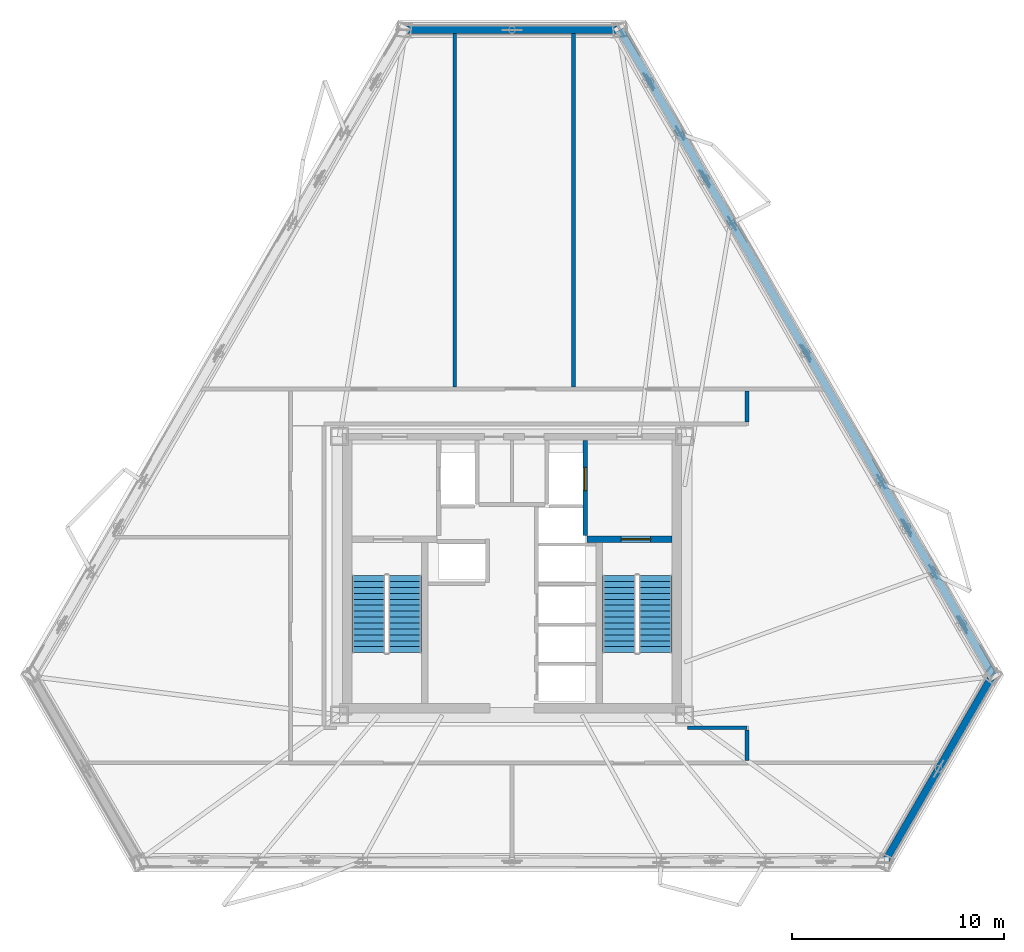
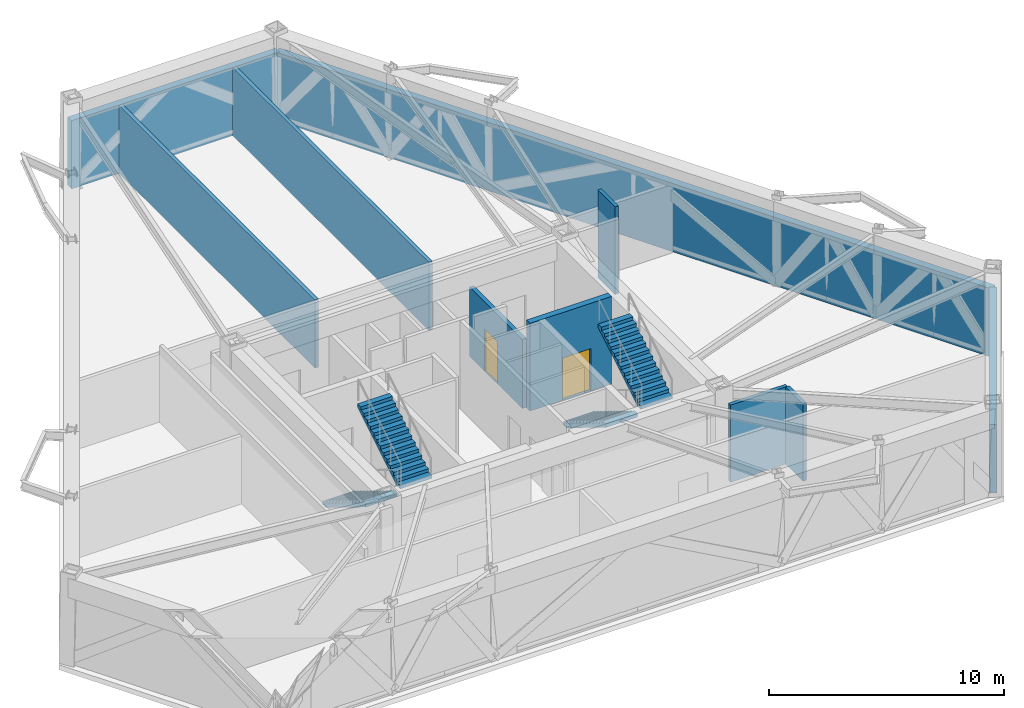
# One storey, part 8 of 11: 10 walls, 4 stair flights, 2 doors, 2 openings, 2 elements without a shape of their own.
"""IFC4 building model written with IfcOpenShell, lengths in metres."""

from ifc_helpers import new_model, si_unit, direction, frame, frame_2d, origin, place, context, subcontext, project, spatial, polyline, rectangle, outline, extrude, material, layer, layer_set, type_object, element, fill, aggregate, save


model = new_model("IFC4")

# Units and contexts
model_context = context("Model", 3, precision=1e-05, world=origin(), true_north=direction((0.0, 1.0)))
body_context = subcontext(model_context, "Body", "Model", "MODEL_VIEW")
ifc_project = project(units=[si_unit("LENGTHUNIT", "METRE"), si_unit("AREAUNIT", "SQUARE_METRE"), si_unit("VOLUMEUNIT", "CUBIC_METRE"), si_unit("PLANEANGLEUNIT", "RADIAN"), si_unit("MASSUNIT", "GRAM", prefix="KILO")], contexts=[model_context])

# Site, building, storey
site_placement = place(None, origin())
site = spatial("IfcSite", under=ifc_project, at=site_placement, CompositionType="ELEMENT")
building_placement = place(site_placement, origin())
building = spatial("IfcBuilding", under=site, at=building_placement, Name="Oramaril Tower", CompositionType="ELEMENT")
storey_placement = place(building_placement, frame((0.0, 0.0, 133.800048828125)))
storey = spatial("IfcBuildingStorey", under=building, at=storey_placement, Name="L35", CompositionType="ELEMENT", Elevation=133.800048828125)

# Walls
ifc_material_1 = material(Name="Warm Cream Limestone", Category="masonry")
ifc_layer_1 = layer(ifc_material_1, 0.340087890625)
ifc_layer_set_1 = layer_set([ifc_layer_1], Name="WT-EXT34")
wall_type_1 = type_object("IfcWallType", Name="WT-EXT34", PredefinedType="SOLIDWALL", material=ifc_layer_set_1)
wall_1_placement = place(storey_placement, frame((55.0966796875, 4.040771484375, 0.0), z_axis=(0.0, 0.0, 1.0), x_axis=(0.500003717096, 0.866023257707, 0.0)))
element("IfcWall", 1, at=wall_1_placement, inside=storey, type_object=wall_type_1, Name="L35 Tower Limestone Facade Wall 3M", PredefinedType="SOLIDWALL", context=body_context, shape_type="SweptSolid", body=[
    extrude(rectangle(XDim=10.21875, YDim=0.340087890625, at=frame_2d((5.109375, 0.0))), origin(), (0.0, 0.0, 1.0), 3.550048828125),
])
wall_2_placement = place(storey_placement, frame((60.2060546875, 12.890380859375, 0.0), z_axis=(0.0, 0.0, 1.0), x_axis=(-0.4999978793, 0.866026628168, 0.0)))
element("IfcWall", 2, at=wall_2_placement, inside=storey, type_object=wall_type_1, Name="L35 Tower Limestone Facade Wall 4M", PredefinedType="SOLIDWALL", context=body_context, shape_type="SweptSolid", body=[
    extrude(rectangle(XDim=35.193603515625, YDim=0.340087890625, at=frame_2d((17.5966796875, 0.0))), origin(), (0.0, 0.0, 1.0), 3.550048828125),
])
wall_3_placement = place(storey_placement, frame((42.609375, 43.368896484375, 0.0), z_axis=(0.0, 0.0, 1.0), x_axis=(-1.0, 0.0, 0.0)))
element("IfcWall", 3, at=wall_3_placement, inside=storey, type_object=wall_type_1, Name="L35 Tower Limestone Facade Wall 5M", PredefinedType="SOLIDWALL", context=body_context, shape_type="SweptSolid", body=[
    extrude(rectangle(XDim=10.21875, YDim=0.340087890625, at=frame_2d((5.109375, 0.0))), origin(), (0.0, 0.0, 1.0), 3.550048828125),
])
ifc_material_2 = material(Name="Autoclaved Cellular Concrete Block", Category="concrete")
ifc_layer_2 = layer(ifc_material_2, 0.179931640625)
ifc_layer_set_2 = layer_set([ifc_layer_2], Name="WT-PT18")
wall_type_2 = type_object("IfcWallType", Name="WT-PT18", PredefinedType="PARTITIONING", material=ifc_layer_set_2)
wall_4_placement = place(storey_placement, frame((45.800048828125, 10.39990234375, 0.0), z_axis=(0.0, 0.0, 1.0), x_axis=(1.0, 0.0, 0.0)))
element("IfcWall", 4, at=wall_4_placement, inside=storey, type_object=wall_type_2, Name="L35 Interior Partition PT-18", PredefinedType="PARTITIONING", context=body_context, shape_type="SweptSolid", body=[
    extrude(rectangle(XDim=2.800048828125, YDim=0.179931640625, at=frame_2d((1.39990234375, 0.0))), origin(), (0.0, 0.0, 1.0), 4.013916015625),
])
for number, where, z_axis, x_axis, name in (
    (5, (34.800048828125, 26.493896484375, 0.0), (0.0, 0.0, 1.0), (0.0, 1.0, 0.0), "L35 Interior Partition PT-18"),
    (6, (40.39990234375, 26.493896484375, 0.0), (0.0, 0.0, 1.0), (0.0, 1.0, 0.0), "L35 Interior Partition PT-18"),
):
    element("IfcWall", number, at=place(storey_placement, frame(where, z_axis=z_axis, x_axis=x_axis)), inside=storey, type_object=wall_type_2, Name=name, PredefinedType="PARTITIONING", context=body_context, shape_type="SweptSolid", body=[
        extrude(rectangle(XDim=16.700927734375, YDim=0.179931640625, at=frame_2d((8.3505859375, 0.0))), origin(), (0.0, 0.0, 1.0), 3.550048828125),
    ])
wall_5_placement = place(storey_placement, frame((48.60009765625, 8.843994140625, 0.0), z_axis=(0.0, 0.0, 1.0), x_axis=(0.0, 1.0, 0.0)))
element("IfcWall", 7, at=wall_5_placement, inside=storey, type_object=wall_type_2, Name="L35 Interior Partition PT-18", PredefinedType="PARTITIONING", context=body_context, shape_type="SweptSolid", body=[
    extrude(rectangle(XDim=1.4619140625, YDim=0.179931640625, at=frame_2d((0.73095703125, 0.0))), origin(), (0.0, 0.0, 1.0), 4.013916015625),
])
wall_6_placement = place(storey_placement, frame((48.60009765625, 24.843994140625, 0.0), z_axis=(0.0, 0.0, 1.0), x_axis=(0.0, 1.0, 0.0)))
element("IfcWall", 8, at=wall_6_placement, inside=storey, type_object=wall_type_2, Name="L35 Interior Partition PT-18", PredefinedType="PARTITIONING", context=body_context, shape_type="SweptSolid", body=[
    extrude(rectangle(XDim=1.4619140625, YDim=0.179931640625, at=frame_2d((0.73095703125, 0.0))), origin(), (0.0, 0.0, 1.0), 4.56005859375),
])

# Wall, opening, door
ifc_material_3 = material(Name="Concrete C50/60", Category="concrete")
ifc_layer_3 = layer(ifc_material_3, 0.300048828125)
ifc_layer_set_3 = layer_set([ifc_layer_3], Name="WT-SH30")
wall_type_3 = type_object("IfcWallType", Name="WT-SH30", PredefinedType="SHEAR", material=ifc_layer_set_3)
wall_7_placement = place(storey_placement, frame((41.050048828125, 19.31005859375, 0.0), z_axis=(0.0, 0.0, 1.0), x_axis=(1.0, 0.0, 0.0)))
wall_7 = element("IfcWall", 9, at=wall_7_placement, inside=storey, type_object=wall_type_3, Name="L35 Core Shear Wall CW-ST2N", PredefinedType="SHEAR", context=body_context, shape_type="SweptSolid", body=[
    extrude(rectangle(XDim=4.010009765625, YDim=0.300048828125, at=frame_2d((2.0048828125, 0.0))), origin(), (0.0, 0.0, 1.0), 4.56005859375),
])
opening_1_placement = place(wall_7_placement, frame((1.60009765625, 0.0, 0.0)))
opening_1 = element("IfcOpeningElement", 10, at=opening_1_placement, cuts=wall_7, Name="Opening D-L35-ST2", PredefinedType="OPENING", context=body_context, shape_type="SweptSolid", body=[
    extrude(rectangle(XDim=1.39990234375, YDim=2.199951171875, at=frame_2d((0.699951171875, 1.10009765625))), frame((0.0, 0.14990234375, 0.0), z_axis=(0.0, -1.0, 0.0), x_axis=(1.0, 0.0, 0.0)), (0.0, 0.0, 1.0), 0.300048828125),
])
ifc_material_4 = material(Name="Painted Galvanised Steel", Category="steel")
door_type_1 = type_object("IfcDoorType", Name="DT-ST", OperationType="NOTDEFINED", PredefinedType="DOOR", material=ifc_material_4)
door_1_placement = place(opening_1_placement, origin())
door_1 = element("IfcDoor", 11, at=door_1_placement, inside=storey, type_object=door_type_1, Name="L35 Protected Stair ST-2 Fire Door", OperationType="SINGLE_SWING_RIGHT", OverallHeight=2.199951171875, OverallWidth=1.39990234375, PredefinedType="DOOR", context=body_context, shape_type="SweptSolid", body=[
    extrude(rectangle(XDim=1.39990234375, YDim=2.199951171875, at=frame_2d((0.699951171875, 1.10009765625))), frame((0.0, 0.02490234375, 0.0), z_axis=(0.0, -1.0, 0.0), x_axis=(1.0, 0.0, 0.0)), (0.0, 0.0, 1.0), 0.050048828125),
])
fill(opening_1, door_1)

ifc_material_5 = material(Name="Autoclaved Cellular Concrete Block", Category="concrete")
ifc_layer_4 = layer(ifc_material_5, 0.199951171875)
ifc_layer_set_4 = layer_set([ifc_layer_4], Name="WT-SHF20")
wall_type_4 = type_object("IfcWallType", Name="WT-SHF20", PredefinedType="PARTITIONING", material=ifc_layer_set_4)
wall_8_placement = place(storey_placement, frame((40.9599609375, 19.47998046875, 0.0), z_axis=(0.0, 0.0, 1.0), x_axis=(0.0, 1.0, 0.0)))
wall_8 = element("IfcWall", 12, at=wall_8_placement, inside=storey, type_object=wall_type_4, Name="L35 FL-2 Lobby Shaft Wall", PredefinedType="PARTITIONING", context=body_context, shape_type="SweptSolid", body=[
    extrude(rectangle(XDim=4.5, YDim=0.199951171875, at=frame_2d((2.25, 0.0))), origin(), (0.0, 0.0, 1.0), 3.599853515625),
])
opening_2_placement = place(wall_8_placement, frame((2.1201171875, 0.0, 0.0)))
opening_2 = element("IfcOpeningElement", 13, at=opening_2_placement, cuts=wall_8, Name="Opening LD-L35-FL-2", PredefinedType="OPENING", context=body_context, shape_type="SweptSolid", body=[
    extrude(rectangle(XDim=1.10009765625, YDim=2.199951171875, at=frame_2d((0.550048828125, 1.10009765625))), frame((0.0, 0.10009765625, 0.0), z_axis=(0.0, -1.0, 0.0), x_axis=(1.0, 0.0, 0.0)), (0.0, 0.0, 1.0), 0.199951171875),
])
ifc_material_6 = material(Name="Stainless Steel 316L", Category="steel")
door_type_2 = type_object("IfcDoorType", Name="DT-LD1", OperationType="NOTDEFINED", PredefinedType="DOOR", material=ifc_material_6)
door_2_placement = place(opening_2_placement, origin())
door_2 = element("IfcDoor", 14, at=door_2_placement, inside=storey, type_object=door_type_2, Name="L35 Lift FL-2 Sliding Landing Door", OperationType="SLIDING_TO_RIGHT", OverallHeight=2.199951171875, OverallWidth=1.10009765625, PredefinedType="DOOR", context=body_context, shape_type="SweptSolid", body=[
    extrude(rectangle(XDim=1.10009765625, YDim=2.199951171875, at=frame_2d((0.550048828125, 1.10009765625))), frame((0.0, 0.02490234375, 0.0), z_axis=(0.0, -1.0, 0.0), x_axis=(1.0, 0.0, 0.0)), (0.0, 0.0, 1.0), 0.050048828125),
])
fill(opening_2, door_2)

# Stair, stair flights
ifc_material_7 = material(Name="Concrete C50/60", Category="concrete")
stair_type = type_object("IfcStairType", Name="STT-DG-4800", PredefinedType="HALF_TURN_STAIR", material=ifc_material_7)
stair_1_placement = place(storey_placement, origin())
stair_1 = element("IfcStair", 15, at=stair_1_placement, inside=storey, type_object=stair_type, Name="L35 Protected PFP Exit Stair ST-1", PredefinedType="HALF_TURN_STAIR")
ifc_material_8 = material(Name="Concrete C50/60", Category="concrete")
stair_flight_type = type_object("IfcStairFlightType", Name="SFT-DG-4800", PredefinedType="STRAIGHT", material=ifc_material_8)
stair_flight_1_placement = place(storey_placement, frame((30.72998046875, 17.590087890625, 0.0), z_axis=(0.0, 0.0, 1.0), x_axis=(0.0, -1.0, 0.0)))
stair_flight_1 = element("IfcStairFlight", 16, at=stair_flight_1_placement, type_object=stair_flight_type, Name="ST-1 flight 1", NumberOfRisers=14, NumberOfTreads=13, PredefinedType="STRAIGHT", RiserHeight=0.171428571, TreadLength=0.28, context=body_context, shape_type="SweptSolid", body=[
    extrude(outline(polyline([(0.0, 0.0), (0.0, 0.17138671875), (0.280029296875, 0.17138671875), (0.280029296875, 0.3427734375), (0.56005859375, 0.3427734375), (0.56005859375, 0.514404296875), (0.840087890625, 0.514404296875), (0.840087890625, 0.685791015625), (1.1201171875, 0.685791015625), (1.1201171875, 0.857177734375), (1.39990234375, 0.857177734375), (1.39990234375, 1.028564453125), (1.679931640625, 1.028564453125), (1.679931640625, 1.199951171875), (1.9599609375, 1.199951171875), (1.9599609375, 1.371337890625), (2.239990234375, 1.371337890625), (2.239990234375, 1.54296875), (2.52001953125, 1.54296875), (2.52001953125, 1.71435546875), (2.800048828125, 1.71435546875), (2.800048828125, 1.8857421875), (3.080078125, 1.8857421875), (3.080078125, 2.05712890625), (3.360107421875, 2.05712890625), (3.360107421875, 2.228515625), (3.639892578125, 2.228515625), (3.639892578125, 2.39990234375), (3.639892578125, 2.052734375), (0.287109375, 0.0), (0.0, 0.0)])), frame((0.0, 0.780029296875, 0.0), z_axis=(0.0, -1.0, 0.0), x_axis=(1.0, 0.0, 0.0)), (0.0, 0.0, 1.0), 1.56005859375),
])
stair_flight_2_placement = place(storey_placement, frame((32.43994140625, 13.949951171875, 2.39990234375), z_axis=(0.0, 0.0, 1.0), x_axis=(0.0, 1.0, 0.0)))
stair_flight_2 = element("IfcStairFlight", 17, at=stair_flight_2_placement, type_object=stair_flight_type, Name="ST-1 flight 2", NumberOfRisers=14, NumberOfTreads=13, PredefinedType="STRAIGHT", RiserHeight=0.171428571, TreadLength=0.28, context=body_context, shape_type="SweptSolid", body=[
    extrude(outline(polyline([(0.0, 0.0), (0.0, 0.17138671875), (0.280029296875, 0.17138671875), (0.280029296875, 0.3427734375), (0.56005859375, 0.3427734375), (0.56005859375, 0.514404296875), (0.840087890625, 0.514404296875), (0.840087890625, 0.685791015625), (1.1201171875, 0.685791015625), (1.1201171875, 0.857177734375), (1.39990234375, 0.857177734375), (1.39990234375, 1.028564453125), (1.679931640625, 1.028564453125), (1.679931640625, 1.199951171875), (1.9599609375, 1.199951171875), (1.9599609375, 1.371337890625), (2.239990234375, 1.371337890625), (2.239990234375, 1.54296875), (2.52001953125, 1.54296875), (2.52001953125, 1.71435546875), (2.800048828125, 1.71435546875), (2.800048828125, 1.8857421875), (3.080078125, 1.8857421875), (3.080078125, 2.05712890625), (3.360107421875, 2.05712890625), (3.360107421875, 2.228515625), (3.639892578125, 2.228515625), (3.639892578125, 2.39990234375), (3.639892578125, 2.052734375), (0.287109375, 0.0), (0.0, 0.0)])), frame((0.0, 0.780029296875, 0.0), z_axis=(0.0, -1.0, 0.0), x_axis=(1.0, 0.0, 0.0)), (0.0, 0.0, 1.0), 1.56005859375),
])
aggregate(stair_1, [stair_flight_1, stair_flight_2])

stair_2_placement = place(storey_placement, origin())
stair_2 = element("IfcStair", 18, at=stair_2_placement, inside=storey, type_object=stair_type, Name="L35 Protected PFP Exit Stair ST-2", PredefinedType="HALF_TURN_STAIR")
stair_flight_3_placement = place(storey_placement, frame((42.56005859375, 17.590087890625, 0.0), z_axis=(0.0, 0.0, 1.0), x_axis=(0.0, -1.0, 0.0)))
stair_flight_3 = element("IfcStairFlight", 19, at=stair_flight_3_placement, type_object=stair_flight_type, Name="ST-2 flight 1", NumberOfRisers=14, NumberOfTreads=13, PredefinedType="STRAIGHT", RiserHeight=0.171428571, TreadLength=0.28, context=body_context, shape_type="SweptSolid", body=[
    extrude(outline(polyline([(0.0, 0.0), (0.0, 0.17138671875), (0.280029296875, 0.17138671875), (0.280029296875, 0.3427734375), (0.56005859375, 0.3427734375), (0.56005859375, 0.514404296875), (0.840087890625, 0.514404296875), (0.840087890625, 0.685791015625), (1.1201171875, 0.685791015625), (1.1201171875, 0.857177734375), (1.39990234375, 0.857177734375), (1.39990234375, 1.028564453125), (1.679931640625, 1.028564453125), (1.679931640625, 1.199951171875), (1.9599609375, 1.199951171875), (1.9599609375, 1.371337890625), (2.239990234375, 1.371337890625), (2.239990234375, 1.54296875), (2.52001953125, 1.54296875), (2.52001953125, 1.71435546875), (2.800048828125, 1.71435546875), (2.800048828125, 1.8857421875), (3.080078125, 1.8857421875), (3.080078125, 2.05712890625), (3.360107421875, 2.05712890625), (3.360107421875, 2.228515625), (3.639892578125, 2.228515625), (3.639892578125, 2.39990234375), (3.639892578125, 2.052734375), (0.287109375, 0.0), (0.0, 0.0)])), frame((0.0, 0.780029296875, 0.0), z_axis=(0.0, -1.0, 0.0), x_axis=(1.0, 0.0, 0.0)), (0.0, 0.0, 1.0), 1.56005859375),
])
stair_flight_4_placement = place(storey_placement, frame((44.27001953125, 13.949951171875, 2.39990234375), z_axis=(0.0, 0.0, 1.0), x_axis=(0.0, 1.0, 0.0)))
stair_flight_4 = element("IfcStairFlight", 20, at=stair_flight_4_placement, type_object=stair_flight_type, Name="ST-2 flight 2", NumberOfRisers=14, NumberOfTreads=13, PredefinedType="STRAIGHT", RiserHeight=0.171428571, TreadLength=0.28, context=body_context, shape_type="SweptSolid", body=[
    extrude(outline(polyline([(0.0, 0.0), (0.0, 0.17138671875), (0.280029296875, 0.17138671875), (0.280029296875, 0.3427734375), (0.56005859375, 0.3427734375), (0.56005859375, 0.514404296875), (0.840087890625, 0.514404296875), (0.840087890625, 0.685791015625), (1.1201171875, 0.685791015625), (1.1201171875, 0.857177734375), (1.39990234375, 0.857177734375), (1.39990234375, 1.028564453125), (1.679931640625, 1.028564453125), (1.679931640625, 1.199951171875), (1.9599609375, 1.199951171875), (1.9599609375, 1.371337890625), (2.239990234375, 1.371337890625), (2.239990234375, 1.54296875), (2.52001953125, 1.54296875), (2.52001953125, 1.71435546875), (2.800048828125, 1.71435546875), (2.800048828125, 1.8857421875), (3.080078125, 1.8857421875), (3.080078125, 2.05712890625), (3.360107421875, 2.05712890625), (3.360107421875, 2.228515625), (3.639892578125, 2.228515625), (3.639892578125, 2.39990234375), (3.639892578125, 2.052734375), (0.287109375, 0.0), (0.0, 0.0)])), frame((0.0, 0.780029296875, 0.0), z_axis=(0.0, -1.0, 0.0), x_axis=(1.0, 0.0, 0.0)), (0.0, 0.0, 1.0), 1.56005859375),
])
aggregate(stair_2, [stair_flight_3, stair_flight_4])

save(model, "model.ifc")
